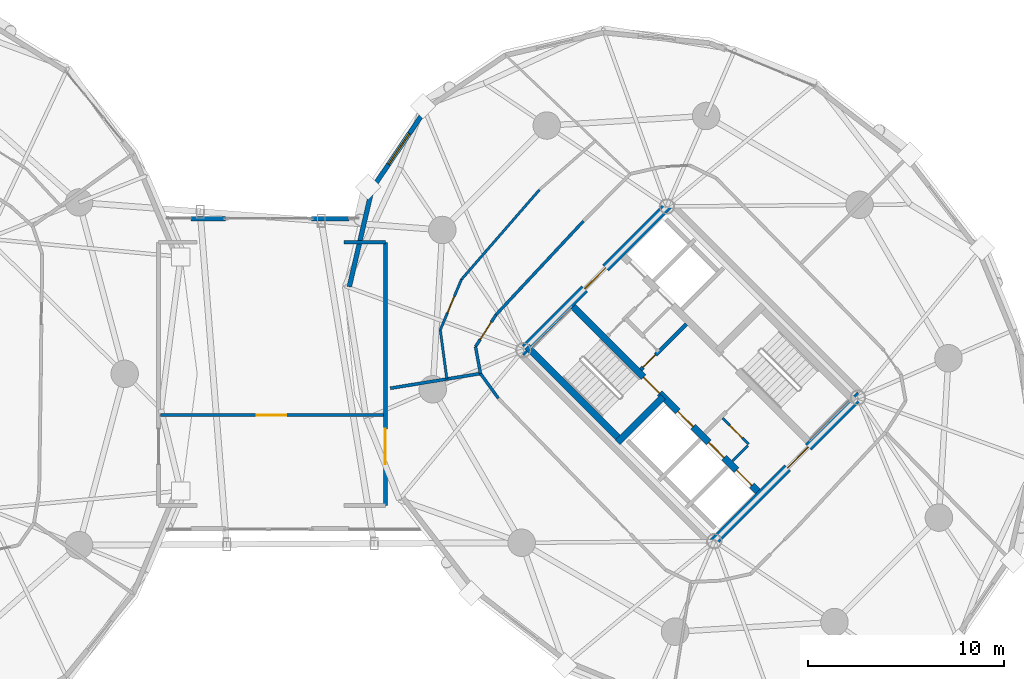
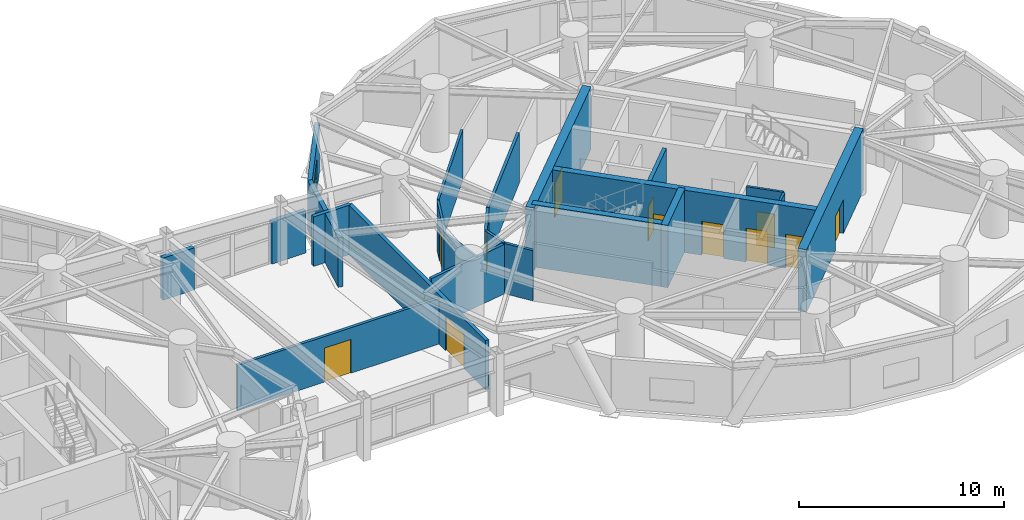
# One storey, part 16 of 20: 23 walls, 12 doors, 1 window, 13 openings.
"""IFC4 building model written with IfcOpenShell, lengths in metres."""

from ifc_helpers import new_model, si_unit, direction, frame, frame_2d, origin, place, context, subcontext, project, spatial, rectangle, extrude, source, transform, mapped, material, layer, layer_set, type_object, element, fill, save


model = new_model("IFC4")

# Units and contexts
model_context = context("Model", 3, precision=1e-05, world=origin(), true_north=direction((0.0, 1.0)))
body_context = subcontext(model_context, "Body", "Model", "MODEL_VIEW")
ifc_project = project(units=[si_unit("LENGTHUNIT", "METRE"), si_unit("AREAUNIT", "SQUARE_METRE"), si_unit("VOLUMEUNIT", "CUBIC_METRE"), si_unit("PLANEANGLEUNIT", "RADIAN"), si_unit("MASSUNIT", "GRAM", prefix="KILO")], contexts=[model_context])

# Site, building, storey
site_placement = place(None, origin())
site = spatial("IfcSite", under=ifc_project, at=site_placement, CompositionType="ELEMENT")
building_placement = place(site_placement, origin())
building = spatial("IfcBuilding", under=site, at=building_placement, Name="Cununo Teusaquillo Station Towers", CompositionType="ELEMENT")
storey_placement = place(building_placement, frame((0.0, 0.0, 129.159912109375)))
storey = spatial("IfcBuildingStorey", under=building, at=storey_placement, Name="L41", CompositionType="ELEMENT", Elevation=129.159912109375)

# Wall, openings, doors
ifc_material_1 = material(Name="Concrete C50/60", Category="concrete")
ifc_layer_1 = layer(ifc_material_1, 0.35009765625)
ifc_layer_set_1 = layer_set([ifc_layer_1], Name="Concrete C50/60")
wall_type_1 = type_object("IfcWallType", Name="WL-CORE-350", PredefinedType="SHEAR", material=ifc_layer_set_1)
wall_1_placement = place(storey_placement, frame((61.077880859375, 18.355224609375, 0.0), z_axis=(0.0, 0.0, 1.0), x_axis=(-0.707106781187, 0.707106781187, 0.0)))
wall_1 = element("IfcWall", 1, at=wall_1_placement, inside=storey, type_object=wall_type_1, Name="L41 Tower B Core Shear Wall IW", PredefinedType="SHEAR", context=body_context, shape_type="SweptSolid", body=[
    extrude(rectangle(XDim=13.75, YDim=0.35009765625, at=frame_2d((6.875, 0.0))), origin(), (0.0, 0.0, 1.0), 3.719970703125),
])
shared_shape_1 = source(origin(), body_context, "Body", "SweptSolid", [
    extrude(rectangle(XDim=1.10009765625, YDim=2.014892578125, at=frame_2d((0.550048828125, 1.00732421875))), frame((0.0, 0.18505859375, 0.0), z_axis=(0.0, -1.0, 0.0), x_axis=(1.0, 0.0, 0.0)), (0.0, 0.0, 1.0), 0.3701171875),
])
opening_1_placement = place(wall_1_placement, frame((4.875, 0.0, 0.0)))
opening_1 = element("IfcOpeningElement", 2, at=opening_1_placement, cuts=wall_1, Name="Opening LD-01", PredefinedType="OPENING", context=body_context, shape_type="MappedRepresentation", body=[
    mapped(shared_shape_1, transform((0.0, 0.0, 0.0), x_axis=(1.0, 0.0, 0.0), y_axis=(0.0, 1.0, 0.0), z_axis=(0.0, 0.0, 1.0), scale=1.0)),
])
opening_2_placement = place(wall_1_placement, frame((0.64990234375, 0.0, 0.0)))
opening_2 = element("IfcOpeningElement", 3, at=opening_2_placement, cuts=wall_1, Name="Opening LD-01", PredefinedType="OPENING", context=body_context, shape_type="MappedRepresentation", body=[
    mapped(shared_shape_1, transform((0.0, 0.0, 0.0), x_axis=(1.0, 0.0, 0.0), y_axis=(0.0, 1.0, 0.0), z_axis=(0.0, 0.0, 1.0), scale=1.0)),
])
opening_3_placement = place(wall_1_placement, frame((2.64990234375, 0.0, 0.0)))
opening_3 = element("IfcOpeningElement", 4, at=opening_3_placement, cuts=wall_1, Name="Opening LD-01", PredefinedType="OPENING", context=body_context, shape_type="MappedRepresentation", body=[
    mapped(shared_shape_1, transform((0.0, 0.0, 0.0), x_axis=(1.0, 0.0, 0.0), y_axis=(0.0, 1.0, 0.0), z_axis=(0.0, 0.0, 1.0), scale=1.0)),
])
shared_shape_2 = source(origin(), body_context, "Body", "SweptSolid", [
    extrude(rectangle(XDim=1.14990234375, YDim=2.02001953125, at=frame_2d((0.574951171875, 1.010009765625))), frame((0.0, 0.18505859375, 0.0), z_axis=(0.0, -1.0, 0.0), x_axis=(1.0, 0.0, 0.0)), (0.0, 0.0, 1.0), 0.3701171875),
])
opening_4_placement = place(wall_1_placement, frame((7.294921875, 0.0, 0.0)))
opening_4 = element("IfcOpeningElement", 5, at=opening_4_placement, cuts=wall_1, Name="Opening D-ST1", PredefinedType="OPENING", context=body_context, shape_type="MappedRepresentation", body=[
    mapped(shared_shape_2, transform((0.0, 0.0, 0.0), x_axis=(1.0, 0.0, 0.0), y_axis=(0.0, 1.0, 0.0), z_axis=(0.0, 0.0, 1.0), scale=1.0)),
])
ifc_material_2 = material(Name="Galvanised fire-rated hollow steel door assembly", Category="steel")
door_type_1 = type_object("IfcDoorType", Name="DR-LIFT-1100", OperationType="SLIDING_TO_LEFT", PredefinedType="DOOR", material=ifc_material_2)
shared_shape_3 = source(origin(), body_context, "Body", "SweptSolid", [
    extrude(rectangle(XDim=1.10009765625, YDim=2.014892578125, at=frame_2d((0.550048828125, 1.00732421875))), frame((0.0, 0.02490234375, 0.0), z_axis=(0.0, -1.0, 0.0), x_axis=(1.0, 0.0, 0.0)), (0.0, 0.0, 1.0), 0.050048828125),
])
door_1_placement = place(opening_1_placement, origin())
door_1 = element("IfcDoor", 6, at=door_1_placement, inside=storey, type_object=door_type_1, Name="L41 Lift FL-T2 Sliding Landing Door", OperationType="SLIDING_TO_LEFT", OverallHeight=2.014892578125, OverallWidth=1.10009765625, PredefinedType="DOOR", context=body_context, shape_type="MappedRepresentation", body=[
    mapped(shared_shape_3, transform((0.0, 0.0, 0.0), x_axis=(1.0, 0.0, 0.0), y_axis=(0.0, 1.0, 0.0), z_axis=(0.0, 0.0, 1.0), scale=1.0)),
])
fill(opening_1, door_1)
door_2_placement = place(opening_2_placement, origin())
door_2 = element("IfcDoor", 7, at=door_2_placement, inside=storey, type_object=door_type_1, Name="L41 Lift PL-T2-H1 Sliding Landing Door", OperationType="SLIDING_TO_LEFT", OverallHeight=2.014892578125, OverallWidth=1.10009765625, PredefinedType="DOOR", context=body_context, shape_type="MappedRepresentation", body=[
    mapped(shared_shape_3, transform((0.0, 0.0, 0.0), x_axis=(1.0, 0.0, 0.0), y_axis=(0.0, 1.0, 0.0), z_axis=(0.0, 0.0, 1.0), scale=1.0)),
])
fill(opening_2, door_2)
door_3_placement = place(opening_3_placement, origin())
door_3 = element("IfcDoor", 8, at=door_3_placement, inside=storey, type_object=door_type_1, Name="L41 Lift PL-T2-H2 Sliding Landing Door", OperationType="SLIDING_TO_RIGHT", OverallHeight=2.014892578125, OverallWidth=1.10009765625, PredefinedType="DOOR", context=body_context, shape_type="MappedRepresentation", body=[
    mapped(shared_shape_3, transform((0.0, 0.0, 0.0), x_axis=(1.0, 0.0, 0.0), y_axis=(0.0, 1.0, 0.0), z_axis=(0.0, 0.0, 1.0), scale=1.0)),
])
fill(opening_3, door_3)
ifc_material_3 = material(Name="Galvanised fire-rated hollow steel door assembly", Category="steel")
door_type_2 = type_object("IfcDoorType", Name="DR-STAIR-1150", OperationType="NOTDEFINED", PredefinedType="DOOR", material=ifc_material_3)
shared_shape_4 = source(origin(), body_context, "Body", "SweptSolid", [
    extrude(rectangle(XDim=1.14990234375, YDim=2.02001953125, at=frame_2d((0.574951171875, 1.010009765625))), frame((0.0, 0.02490234375, 0.0), z_axis=(0.0, -1.0, 0.0), x_axis=(1.0, 0.0, 0.0)), (0.0, 0.0, 1.0), 0.050048828125),
])
door_4_placement = place(opening_4_placement, origin())
door_4 = element("IfcDoor", 9, at=door_4_placement, inside=storey, type_object=door_type_2, Name="L41 Tower B Exit Stair 1 Fire Door", OperationType="SINGLE_SWING_LEFT", OverallHeight=2.02001953125, OverallWidth=1.14990234375, PredefinedType="DOOR", context=body_context, shape_type="MappedRepresentation", body=[
    mapped(shared_shape_4, transform((0.0, 0.0, 0.0), x_axis=(1.0, 0.0, 0.0), y_axis=(0.0, 1.0, 0.0), z_axis=(0.0, 0.0, 1.0), scale=1.0)),
])
fill(opening_4, door_4)

# Walls
wall_2_placement = place(storey_placement, frame((53.922119140625, 21.14111328125, 0.0), z_axis=(0.0, 0.0, 1.0), x_axis=(-0.707088616009, 0.707124945897, 0.0)))
element("IfcWall", 10, at=wall_2_placement, inside=storey, type_object=wall_type_1, Name="L41 Tower B Core Shear Wall ST1W", PredefinedType="SHEAR", context=body_context, shape_type="SweptSolid", body=[
    extrude(rectangle(XDim=6.72021484375, YDim=0.35009765625, at=frame_2d((3.360107421875, 0.0))), origin(), (0.0, 0.0, 1.0), 3.719970703125),
])
wall_3_placement = place(storey_placement, frame((53.7841796875, 21.00341796875, 0.0), z_axis=(0.0, 0.0, 1.0), x_axis=(0.707106781187, 0.707106781187, 0.0)))
element("IfcWall", 11, at=wall_3_placement, inside=storey, type_object=wall_type_1, Name="L41 Tower B Core Shear Wall ST1S", PredefinedType="SHEAR", context=body_context, shape_type="SweptSolid", body=[
    extrude(rectangle(XDim=3.284912109375, YDim=0.35009765625, at=frame_2d((1.642578125, 0.0))), origin(), (0.0, 0.0, 1.0), 3.719970703125),
])

# Wall, opening, door
ifc_material_4 = material(Name="Concrete C60/75", Category="concrete")
ifc_layer_2 = layer(ifc_material_4, 0.449951171875)
ifc_layer_set_2 = layer_set([ifc_layer_2], Name="Concrete C60/75")
wall_type_2 = type_object("IfcWallType", Name="WL-CORE-450", PredefinedType="SHEAR", material=ifc_layer_set_2)
wall_4_placement = place(storey_placement, frame((58.578369140625, 15.855712890625, 0.0), z_axis=(0.0, 0.0, 1.0), x_axis=(0.707106781187, 0.707106781187, 0.0)))
wall_4 = element("IfcWall", 12, at=wall_4_placement, inside=storey, type_object=wall_type_2, Name="L41 Tower B Core Shear Wall S", PredefinedType="SHEAR", context=body_context, shape_type="SweptSolid", body=[
    extrude(rectangle(XDim=10.69970703125, YDim=0.449951171875, at=frame_2d((5.349853515625, 0.0))), origin(), (0.0, 0.0, 1.0), 3.719970703125),
])
shared_shape_5 = source(origin(), body_context, "Body", "SweptSolid", [
    extrude(rectangle(XDim=1.5, YDim=2.02001953125, at=frame_2d((0.75, 1.010009765625))), frame((0.0, 0.23486328125, 0.0), z_axis=(0.0, -1.0, 0.0), x_axis=(1.0, 0.0, 0.0)), (0.0, 0.0, 1.0), 0.469970703125),
])
opening_5_placement = place(wall_4_placement, frame((5.449951171875, 0.0, 0.0)))
opening_5 = element("IfcOpeningElement", 13, at=opening_5_placement, cuts=wall_4, Name="Opening D-LB1", PredefinedType="OPENING", context=body_context, shape_type="MappedRepresentation", body=[
    mapped(shared_shape_5, transform((0.0, 0.0, 0.0), x_axis=(1.0, 0.0, 0.0), y_axis=(0.0, 1.0, 0.0), z_axis=(0.0, 0.0, 1.0), scale=1.0)),
])
ifc_material_5 = material(Name="Galvanised fire-rated hollow steel door assembly", Category="steel")
door_type_3 = type_object("IfcDoorType", Name="DR-LOBBY-1500", OperationType="DOUBLE_DOOR_SINGLE_SWING", PredefinedType="DOOR", material=ifc_material_5)
shared_shape_6 = source(origin(), body_context, "Body", "SweptSolid", [
    extrude(rectangle(XDim=1.5, YDim=2.02001953125, at=frame_2d((0.75, 1.010009765625))), frame((0.0, 0.02490234375, 0.0), z_axis=(0.0, -1.0, 0.0), x_axis=(1.0, 0.0, 0.0)), (0.0, 0.0, 1.0), 0.050048828125),
])
door_5_placement = place(opening_5_placement, origin())
door_5 = element("IfcDoor", 14, at=door_5_placement, inside=storey, type_object=door_type_3, Name="L41 Tower B South Core Lift Lobby Door", OperationType="DOUBLE_DOOR_SINGLE_SWING", OverallHeight=2.02001953125, OverallWidth=1.5, PredefinedType="DOOR", context=body_context, shape_type="MappedRepresentation", body=[
    mapped(shared_shape_6, transform((0.0, 0.0, 0.0), x_axis=(1.0, 0.0, 0.0), y_axis=(0.0, 1.0, 0.0), z_axis=(0.0, 0.0, 1.0), scale=1.0)),
])
fill(opening_5, door_5)

wall_5_placement = place(storey_placement, frame((48.855712890625, 25.578369140625, 0.0), z_axis=(0.0, 0.0, 1.0), x_axis=(0.707106781187, 0.707106781187, 0.0)))
wall_5 = element("IfcWall", 15, at=wall_5_placement, inside=storey, type_object=wall_type_2, Name="L41 Tower B Core Shear Wall N", PredefinedType="SHEAR", context=body_context, shape_type="SweptSolid", body=[
    extrude(rectangle(XDim=10.69970703125, YDim=0.449951171875, at=frame_2d((5.349853515625, 0.0))), origin(), (0.0, 0.0, 1.0), 3.719970703125),
])
opening_6_placement = place(wall_5_placement, frame((4.60009765625, 0.0, 0.0)))
opening_6 = element("IfcOpeningElement", 16, at=opening_6_placement, cuts=wall_5, Name="Opening D-LB1", PredefinedType="OPENING", context=body_context, shape_type="MappedRepresentation", body=[
    mapped(shared_shape_5, transform((0.0, 0.0, 0.0), x_axis=(1.0, 0.0, 0.0), y_axis=(0.0, 1.0, 0.0), z_axis=(0.0, 0.0, 1.0), scale=1.0)),
])
door_6_placement = place(opening_6_placement, origin())
door_6 = element("IfcDoor", 17, at=door_6_placement, inside=storey, type_object=door_type_3, Name="L41 Tower B North Core Lift Lobby Door", OperationType="DOUBLE_DOOR_SINGLE_SWING", OverallHeight=2.02001953125, OverallWidth=1.5, PredefinedType="DOOR", context=body_context, shape_type="MappedRepresentation", body=[
    mapped(shared_shape_6, transform((0.0, 0.0, 0.0), x_axis=(1.0, 0.0, 0.0), y_axis=(0.0, 1.0, 0.0), z_axis=(0.0, 0.0, 1.0), scale=1.0)),
])
fill(opening_6, door_6)

# Wall, opening, window
ifc_material_6 = material(Name="Precast concrete C40/50", Category="concrete")
ifc_layer_3 = layer(ifc_material_6, 0.239990234375)
ifc_layer_set_3 = layer_set([ifc_layer_3], Name="Precast concrete C40/50")
wall_type_3 = type_object("IfcWallType", Name="WL-EXT-240", PredefinedType="SOLIDWALL", material=ifc_layer_set_3)
wall_6_placement = place(storey_placement, frame((41.27099609375, 33.919921875, 0.0), z_axis=(0.0, 0.0, 1.0), x_axis=(0.559572880421, 0.828781148131, 0.0)))
wall_6 = element("IfcWall", 18, at=wall_6_placement, inside=storey, type_object=wall_type_3, Name="L41 Tower B Exterior Facade Wall C05", PredefinedType="SOLIDWALL", context=body_context, shape_type="SweptSolid", body=[
    extrude(rectangle(XDim=4.904541015625, YDim=0.239990234375, at=frame_2d((2.4521484375, 0.0))), origin(), (0.0, 0.0, 1.0), 2.948974609375),
])
shared_shape_7 = source(origin(), body_context, "Body", "SweptSolid", [
    extrude(rectangle(XDim=1.89990234375, YDim=1.35009765625, at=frame_2d((0.949951171875, 0.675048828125))), frame((0.0, 0.1298828125, 0.0), z_axis=(0.0, -1.0, 0.0), x_axis=(1.0, 0.0, 0.0)), (0.0, 0.0, 1.0), 0.260009765625),
])
opening_7_placement = place(wall_6_placement, frame((1.501953125, 0.0, 0.64990234375)))
opening_7 = element("IfcOpeningElement", 19, at=opening_7_placement, cuts=wall_6, Name="Opening WN-02", PredefinedType="OPENING", context=body_context, shape_type="MappedRepresentation", body=[
    mapped(shared_shape_7, transform((0.0, 0.0, 0.0), x_axis=(1.0, 0.0, 0.0), y_axis=(0.0, 1.0, 0.0), z_axis=(0.0, 0.0, 1.0), scale=1.0)),
])
ifc_material_7 = material(Name="Operable acoustic tinted low-E double glazing", Category="glass")
window_type = type_object("IfcWindowType", Name="WIN-OPER-1900", PartitioningType="DOUBLE_PANEL_VERTICAL", PredefinedType="WINDOW", material=ifc_material_7)
shared_shape_8 = source(origin(), body_context, "Body", "SweptSolid", [
    extrude(rectangle(XDim=1.89990234375, YDim=1.35009765625, at=frame_2d((0.949951171875, 0.675048828125))), frame((0.0, 0.030029296875, 0.0), z_axis=(0.0, -1.0, 0.0), x_axis=(1.0, 0.0, 0.0)), (0.0, 0.0, 1.0), 0.06005859375),
])
window_placement = place(opening_7_placement, origin())
window = element("IfcWindow", 20, at=window_placement, inside=storey, type_object=window_type, Name="L41 Tower B Facade Window C05", OverallHeight=1.35009765625, OverallWidth=1.89990234375, PartitioningType="DOUBLE_PANEL_VERTICAL", PredefinedType="WINDOW", context=body_context, shape_type="MappedRepresentation", body=[
    mapped(shared_shape_8, transform((0.0, 0.0, 0.0), x_axis=(1.0, 0.0, 0.0), y_axis=(0.0, 1.0, 0.0), z_axis=(0.0, 0.0, 1.0), scale=1.0)),
])
fill(opening_7, window)

# Walls
wall_7_placement = place(storey_placement, frame((40.114990234375, 28.933349609375, 0.0), z_axis=(0.0, 0.0, 1.0), x_axis=(0.225834725257, 0.974165631126, 0.0)))
element("IfcWall", 21, at=wall_7_placement, inside=storey, type_object=wall_type_3, Name="L41 Tower B Exterior Facade Wall C06", PredefinedType="SOLIDWALL", context=body_context, shape_type="SweptSolid", body=[
    extrude(rectangle(XDim=5.118896484375, YDim=0.239990234375, at=frame_2d((2.5595703125, 0.0))), origin(), (0.0, 0.0, 1.0), 2.948974609375),
])
wall_8_placement = place(storey_placement, frame((32.050048828125, 32.39990234375, 0.0), z_axis=(0.0, 0.0, 1.0), x_axis=(1.0, 0.0, 0.0)))
element("IfcWall", 22, at=wall_8_placement, inside=storey, type_object=wall_type_3, Name="L41 Mid-Bridge N End Spandrel A", PredefinedType="SOLIDWALL", context=body_context, shape_type="SweptSolid", body=[
    extrude(rectangle(XDim=1.77001953125, YDim=0.239990234375, at=frame_2d((0.885009765625, 0.0))), origin(), (0.0, 0.0, 1.0), 2.51220703125),
])
wall_9_placement = place(storey_placement, frame((38.179931640625, 32.39990234375, 0.0), z_axis=(0.0, 0.0, 1.0), x_axis=(1.0, 0.0, 0.0)))
element("IfcWall", 23, at=wall_9_placement, inside=storey, type_object=wall_type_3, Name="L41 Mid-Bridge N End Spandrel B", PredefinedType="SOLIDWALL", context=body_context, shape_type="SweptSolid", body=[
    extrude(rectangle(XDim=1.920166015625, YDim=0.239990234375, at=frame_2d((0.9599609375, 0.0))), origin(), (0.0, 0.0, 1.0), 2.51220703125),
])

# Wall, opening, door
ifc_material_8 = material(Name="Fire-rated gypsum plasterboard partition assembly", Category="gypsum")
ifc_layer_4 = layer(ifc_material_8, 0.125)
ifc_layer_set_4 = layer_set([ifc_layer_4], Name="Fire-rated gypsum plasterboard partition assembly")
wall_type_4 = type_object("IfcWallType", Name="WL-PART-125", PredefinedType="PARTITIONING", material=ifc_layer_set_4)
wall_10_placement = place(storey_placement, frame((60.448486328125, 20.9150390625, 0.0), z_axis=(0.0, 0.0, 1.0), x_axis=(-0.707106781187, 0.707106781187, 0.0)))
wall_10 = element("IfcWall", 24, at=wall_10_placement, inside=storey, type_object=wall_type_4, Name="L41 Tower B North-West Lobby Store East Wall", PredefinedType="PARTITIONING", context=body_context, shape_type="SweptSolid", body=[
    extrude(rectangle(XDim=1.869873046875, YDim=0.125, at=frame_2d((0.93505859375, 0.0))), origin(), (0.0, 0.0, 1.0), 3.425048828125),
])
shared_shape_9 = source(origin(), body_context, "Body", "SweptSolid", [
    extrude(rectangle(XDim=0.89990234375, YDim=2.0048828125, at=frame_2d((0.449951171875, 1.00244140625))), frame((0.0, 0.072509765625, 0.0), z_axis=(0.0, -1.0, 0.0), x_axis=(1.0, 0.0, 0.0)), (0.0, 0.0, 1.0), 0.14501953125),
])
opening_8_placement = place(wall_10_placement, frame((0.449951171875, 0.0, 0.0)))
opening_8 = element("IfcOpeningElement", 25, at=opening_8_placement, cuts=wall_10, Name="Opening D-SR1", PredefinedType="OPENING", context=body_context, shape_type="MappedRepresentation", body=[
    mapped(shared_shape_9, transform((0.0, 0.0, 0.0), x_axis=(1.0, 0.0, 0.0), y_axis=(0.0, 1.0, 0.0), z_axis=(0.0, 0.0, 1.0), scale=1.0)),
])
ifc_material_9 = material(Name="Galvanised fire-rated hollow steel door assembly", Category="steel")
door_type_4 = type_object("IfcDoorType", Name="DR-STORE-900", OperationType="NOTDEFINED", PredefinedType="DOOR", material=ifc_material_9)
shared_shape_10 = source(origin(), body_context, "Body", "SweptSolid", [
    extrude(rectangle(XDim=0.89990234375, YDim=2.0048828125, at=frame_2d((0.449951171875, 1.00244140625))), frame((0.0, 0.02490234375, 0.0), z_axis=(0.0, -1.0, 0.0), x_axis=(1.0, 0.0, 0.0)), (0.0, 0.0, 1.0), 0.050048828125),
])
door_7_placement = place(opening_8_placement, origin())
door_7 = element("IfcDoor", 26, at=door_7_placement, inside=storey, type_object=door_type_4, Name="L41 Tower B South Lobby Data Store Door", OperationType="SINGLE_SWING_LEFT", OverallHeight=2.0048828125, OverallWidth=0.89990234375, PredefinedType="DOOR", context=body_context, shape_type="MappedRepresentation", body=[
    mapped(shared_shape_10, transform((0.0, 0.0, 0.0), x_axis=(1.0, 0.0, 0.0), y_axis=(0.0, 1.0, 0.0), z_axis=(0.0, 0.0, 1.0), scale=1.0)),
])
fill(opening_8, door_7)

# Walls
wall_11_placement = place(storey_placement, frame((59.642578125, 20.06640625, 0.0), z_axis=(0.0, 0.0, 1.0), x_axis=(0.707106781187, 0.707106781187, 0.0)))
element("IfcWall", 27, at=wall_11_placement, inside=storey, type_object=wall_type_4, Name="L41 Tower B North-West Lobby Store South Wall", PredefinedType="PARTITIONING", context=body_context, shape_type="SweptSolid", body=[
    extrude(rectangle(XDim=1.10009765625, YDim=0.125, at=frame_2d((0.550048828125, 0.0))), origin(), (0.0, 0.0, 1.0), 3.425048828125),
])
wall_12_placement = place(storey_placement, frame((49.799560546875, 33.873291015625, 0.0), z_axis=(0.0, 0.0, 1.0), x_axis=(-0.656224613926, -0.754565607537, 0.0)))
element("IfcWall", 28, at=wall_12_placement, inside=storey, type_object=wall_type_4, Name="L41 Tower B Sky-Concourse Exhibition Salon Concentric Partition Wall C05", PredefinedType="PARTITIONING", context=body_context, shape_type="SweptSolid", body=[
    extrude(rectangle(XDim=6.0576171875, YDim=0.125, at=frame_2d((3.02880859375, 0.0))), origin(), (0.0, 0.0, 1.0), 2.9951171875),
])

# Wall, opening, door
wall_13_placement = place(storey_placement, frame((45.824462890625, 29.302490234375, 0.0), z_axis=(0.0, 0.0, 1.0), x_axis=(-0.38649564145, -0.922291233364, 0.0)))
wall_13 = element("IfcWall", 29, at=wall_13_placement, inside=storey, type_object=wall_type_4, Name="L41 Tower B Sky-Concourse Exhibition Salon Concentric Partition Wall C06", PredefinedType="PARTITIONING", context=body_context, shape_type="SweptSolid", body=[
    extrude(rectangle(XDim=2.783203125, YDim=0.125, at=frame_2d((1.3916015625, 0.0))), origin(), (0.0, 0.0, 1.0), 2.948974609375),
])
opening_9_placement = place(wall_13_placement, frame((0.941650390625, 0.0, 0.0)))
opening_9 = element("IfcOpeningElement", 30, at=opening_9_placement, cuts=wall_13, Name="Opening D-IN1", PredefinedType="OPENING", context=body_context, shape_type="MappedRepresentation", body=[
    mapped(shared_shape_9, transform((0.0, 0.0, 0.0), x_axis=(1.0, 0.0, 0.0), y_axis=(0.0, 1.0, 0.0), z_axis=(0.0, 0.0, 1.0), scale=1.0)),
])
ifc_material_10 = material(Name="Acoustic solid-core hardwood leaf assembly", Category="wood")
door_type_5 = type_object("IfcDoorType", Name="DR-INT-900", OperationType="NOTDEFINED", PredefinedType="DOOR", material=ifc_material_10)
door_8_placement = place(opening_9_placement, origin())
door_8 = element("IfcDoor", 31, at=door_8_placement, inside=storey, type_object=door_type_5, Name="L41 Tower B Sky-Concourse Exhibition Salon Connecting Door", OperationType="SINGLE_SWING_LEFT", OverallHeight=2.0048828125, OverallWidth=0.89990234375, PredefinedType="DOOR", context=body_context, shape_type="MappedRepresentation", body=[
    mapped(shared_shape_10, transform((0.0, 0.0, 0.0), x_axis=(1.0, 0.0, 0.0), y_axis=(0.0, 1.0, 0.0), z_axis=(0.0, 0.0, 1.0), scale=1.0)),
])
fill(opening_9, door_8)

# Walls
wall_14_placement = place(storey_placement, frame((44.748779296875, 26.735595703125, 0.0), z_axis=(0.0, 0.0, 1.0), x_axis=(0.132518524874, -0.991180528746, 0.0)))
element("IfcWall", 32, at=wall_14_placement, inside=storey, type_object=wall_type_4, Name="L41 Tower B Sky-Concourse Exhibition Salon Concentric Partition Wall C07", PredefinedType="PARTITIONING", context=body_context, shape_type="SweptSolid", body=[
    extrude(rectangle(XDim=2.52392578125, YDim=0.125, at=frame_2d((1.261962890625, 0.0))), origin(), (0.0, 0.0, 1.0), 2.948974609375),
])
ifc_material_11 = material(Name="Fire-rated gypsum plasterboard partition assembly", Category="gypsum")
ifc_layer_5 = layer(ifc_material_11, 0.14990234375)
ifc_layer_set_5 = layer_set([ifc_layer_5], Name="Fire-rated gypsum plasterboard partition assembly")
wall_type_5 = type_object("IfcWallType", Name="WL-PART-150", PredefinedType="PARTITIONING", material=ifc_layer_set_5)
wall_15_placement = place(storey_placement, frame((52.04345703125, 32.27978515625, 0.0), z_axis=(0.0, 0.0, 1.0), x_axis=(-0.682606081633, -0.730786519661, 0.0)))
element("IfcWall", 33, at=wall_15_placement, inside=storey, type_object=wall_type_5, Name="L41 Tower B Corridor Ring Wall C05", PredefinedType="PARTITIONING", context=body_context, shape_type="SweptSolid", body=[
    extrude(rectangle(XDim=6.526611328125, YDim=0.14990234375, at=frame_2d((3.26318359375, 0.0))), origin(), (0.0, 0.0, 1.0), 2.9951171875),
])

# Wall, opening, door
wall_16_placement = place(storey_placement, frame((47.58837890625, 27.51025390625, 0.0), z_axis=(0.0, 0.0, 1.0), x_axis=(-0.540202619347, -0.841534984449, 0.0)))
wall_16 = element("IfcWall", 34, at=wall_16_placement, inside=storey, type_object=wall_type_5, Name="L41 Tower B Corridor Ring Wall C06", PredefinedType="PARTITIONING", context=body_context, shape_type="SweptSolid", body=[
    extrude(rectangle(XDim=1.934814453125, YDim=0.14990234375, at=frame_2d((0.96728515625, 0.0))), origin(), (0.0, 0.0, 1.0), 2.9951171875),
])
shared_shape_11 = source(origin(), body_context, "Body", "SweptSolid", [
    extrude(rectangle(XDim=1.050048828125, YDim=2.014892578125, at=frame_2d((0.52490234375, 1.00732421875))), frame((0.0, 0.0849609375, 0.0), z_axis=(0.0, -1.0, 0.0), x_axis=(1.0, 0.0, 0.0)), (0.0, 0.0, 1.0), 0.169921875),
])
opening_10_placement = place(wall_16_placement, frame((0.4423828125, 0.0, 0.0)))
opening_10 = element("IfcOpeningElement", 35, at=opening_10_placement, cuts=wall_16, Name="Opening D-SU1", PredefinedType="OPENING", context=body_context, shape_type="MappedRepresentation", body=[
    mapped(shared_shape_11, transform((0.0, 0.0, 0.0), x_axis=(1.0, 0.0, 0.0), y_axis=(0.0, 1.0, 0.0), z_axis=(0.0, 0.0, 1.0), scale=1.0)),
])
ifc_material_12 = material(Name="Acoustic solid-core hardwood leaf assembly", Category="wood")
door_type_6 = type_object("IfcDoorType", Name="DR-SUITE-1050", OperationType="NOTDEFINED", PredefinedType="DOOR", material=ifc_material_12)
shared_shape_12 = source(origin(), body_context, "Body", "SweptSolid", [
    extrude(rectangle(XDim=1.050048828125, YDim=2.014892578125, at=frame_2d((0.52490234375, 1.00732421875))), frame((0.0, 0.02490234375, 0.0), z_axis=(0.0, -1.0, 0.0), x_axis=(1.0, 0.0, 0.0)), (0.0, 0.0, 1.0), 0.050048828125),
])
door_9_placement = place(opening_10_placement, origin())
door_9 = element("IfcDoor", 36, at=door_9_placement, inside=storey, type_object=door_type_6, Name="L41 Tower B Sky-Concourse Exhibition Salon Entrance Door", OperationType="SINGLE_SWING_RIGHT", OverallHeight=2.014892578125, OverallWidth=1.050048828125, PredefinedType="DOOR", context=body_context, shape_type="MappedRepresentation", body=[
    mapped(shared_shape_12, transform((0.0, 0.0, 0.0), x_axis=(1.0, 0.0, 0.0), y_axis=(0.0, 1.0, 0.0), z_axis=(0.0, 0.0, 1.0), scale=1.0)),
])
fill(opening_10, door_9)

# Walls
wall_17_placement = place(storey_placement, frame((46.543212890625, 25.882080078125, 0.0), z_axis=(0.0, 0.0, 1.0), x_axis=(0.181153502579, -0.983454832976, 0.0)))
element("IfcWall", 37, at=wall_17_placement, inside=storey, type_object=wall_type_5, Name="L41 Tower B Corridor Ring Wall C07", PredefinedType="PARTITIONING", context=body_context, shape_type="SweptSolid", body=[
    extrude(rectangle(XDim=1.39208984375, YDim=0.14990234375, at=frame_2d((0.696044921875, 0.0))), origin(), (0.0, 0.0, 1.0), 2.9951171875),
])
wall_18_placement = place(storey_placement, frame((46.79541015625, 24.512939453125, 0.0), z_axis=(0.0, 0.0, 1.0), x_axis=(0.585628197524, -0.810579801294, 0.0)))
element("IfcWall", 38, at=wall_18_placement, inside=storey, type_object=wall_type_5, Name="L41 Tower B Corridor Ring Wall C08", PredefinedType="PARTITIONING", context=body_context, shape_type="SweptSolid", body=[
    extrude(rectangle(XDim=1.55419921875, YDim=0.14990234375, at=frame_2d((0.777099609375, 0.0))), origin(), (0.0, 0.0, 1.0), 2.9951171875),
])

# Wall, opening, door
ifc_material_13 = material(Name="Fire-rated gypsum plasterboard partition assembly", Category="gypsum")
ifc_layer_6 = layer(ifc_material_13, 0.159912109375)
ifc_layer_set_6 = layer_set([ifc_layer_6], Name="Fire-rated gypsum plasterboard partition assembly")
wall_type_6 = type_object("IfcWallType", Name="WL-PART-160", PredefinedType="PARTITIONING", material=ifc_layer_set_6)
wall_19_placement = place(storey_placement, frame((30.5, 22.39990234375, 0.0), z_axis=(0.0, 0.0, 1.0), x_axis=(1.0, 0.0, 0.0)))
wall_19 = element("IfcWall", 39, at=wall_19_placement, inside=storey, type_object=wall_type_6, Name="L41 Mid-Bridge Gallery Lounge Partition", PredefinedType="PARTITIONING", context=body_context, shape_type="SweptSolid", body=[
    extrude(rectangle(XDim=11.35009765625, YDim=0.159912109375, at=frame_2d((5.675048828125, 0.0))), origin(), (0.0, 0.0, 1.0), 2.712158203125),
])
shared_shape_13 = source(origin(), body_context, "Body", "SweptSolid", [
    extrude(rectangle(XDim=1.5, YDim=2.02001953125, at=frame_2d((0.75, 1.010009765625))), frame((0.0, 0.08984375, 0.0), z_axis=(0.0, -1.0, 0.0), x_axis=(1.0, 0.0, 0.0)), (0.0, 0.0, 1.0), 0.179931640625),
])
opening_11_placement = place(wall_19_placement, frame((4.89990234375, 0.0, 0.0)))
opening_11 = element("IfcOpeningElement", 40, at=opening_11_placement, cuts=wall_19, Name="Opening D-LB1", PredefinedType="OPENING", context=body_context, shape_type="MappedRepresentation", body=[
    mapped(shared_shape_13, transform((0.0, 0.0, 0.0), x_axis=(1.0, 0.0, 0.0), y_axis=(0.0, 1.0, 0.0), z_axis=(0.0, 0.0, 1.0), scale=1.0)),
])
door_10_placement = place(opening_11_placement, origin())
door_10 = element("IfcDoor", 41, at=door_10_placement, inside=storey, type_object=door_type_3, Name="L41 Mid-Bridge Salon Door", OperationType="DOUBLE_DOOR_SINGLE_SWING", OverallHeight=2.02001953125, OverallWidth=1.5, PredefinedType="DOOR", context=body_context, shape_type="MappedRepresentation", body=[
    mapped(shared_shape_6, transform((0.0, 0.0, 0.0), x_axis=(1.0, 0.0, 0.0), y_axis=(0.0, 1.0, 0.0), z_axis=(0.0, 0.0, 1.0), scale=1.0)),
])
fill(opening_11, door_10)

# Wall
wall_20_placement = place(storey_placement, frame((46.79541015625, 24.512939453125, 0.0), z_axis=(0.0, 0.0, 1.0), x_axis=(-0.986967402925, -0.160920308111, 0.0)))
element("IfcWall", 42, at=wall_20_placement, inside=storey, type_object=wall_type_6, Name="L41 Tower B Radial Suite Partition R03", PredefinedType="PARTITIONING", context=body_context, shape_type="SweptSolid", body=[
    extrude(rectangle(XDim=4.65625, YDim=0.159912109375, at=frame_2d((2.328125, 0.0))), origin(), (0.0, 0.0, 1.0), 2.948974609375),
])

# Wall, opening, door
ifc_material_14 = material(Name="Fire-rated gypsum plasterboard partition assembly", Category="gypsum")
ifc_layer_7 = layer(ifc_material_14, 0.199951171875)
ifc_layer_set_7 = layer_set([ifc_layer_7], Name="Fire-rated gypsum plasterboard partition assembly")
wall_type_7 = type_object("IfcWallType", Name="WL-PART-200", PredefinedType="PARTITIONING", material=ifc_layer_set_7)
wall_21_placement = place(storey_placement, frame((41.949951171875, 17.800048828125, 0.0), z_axis=(0.0, 0.0, 1.0), x_axis=(0.0, 1.0, 0.0)))
wall_21 = element("IfcWall", 43, at=wall_21_placement, inside=storey, type_object=wall_type_7, Name="L41 Mid-Bridge T2 Fire Portal Wall", PredefinedType="PARTITIONING", context=body_context, shape_type="SweptSolid", body=[
    extrude(rectangle(XDim=13.39990234375, YDim=0.199951171875, at=frame_2d((6.699951171875, 0.0))), origin(), (0.0, 0.0, 1.0), 2.948974609375),
])
shared_shape_14 = source(origin(), body_context, "Body", "SweptSolid", [
    extrude(rectangle(XDim=1.800048828125, YDim=2.050048828125, at=frame_2d((0.89990234375, 1.02490234375))), frame((0.0, 0.10986328125, 0.0), z_axis=(0.0, -1.0, 0.0), x_axis=(1.0, 0.0, 0.0)), (0.0, 0.0, 1.0), 0.219970703125),
])
opening_12_placement = place(wall_21_placement, frame((2.10009765625, 0.0, 0.0)))
opening_12 = element("IfcOpeningElement", 44, at=opening_12_placement, cuts=wall_21, Name="Opening D-BG1", PredefinedType="OPENING", context=body_context, shape_type="MappedRepresentation", body=[
    mapped(shared_shape_14, transform((0.0, 0.0, 0.0), x_axis=(1.0, 0.0, 0.0), y_axis=(0.0, 1.0, 0.0), z_axis=(0.0, 0.0, 1.0), scale=1.0)),
])
ifc_material_15 = material(Name="Galvanised fire-rated hollow steel door assembly", Category="steel")
door_type_7 = type_object("IfcDoorType", Name="DR-BRIDGE-1800", OperationType="DOUBLE_DOOR_SINGLE_SWING", PredefinedType="DOOR", material=ifc_material_15)
shared_shape_15 = source(origin(), body_context, "Body", "SweptSolid", [
    extrude(rectangle(XDim=1.800048828125, YDim=2.050048828125, at=frame_2d((0.89990234375, 1.02490234375))), frame((0.0, 0.02490234375, 0.0), z_axis=(0.0, -1.0, 0.0), x_axis=(1.0, 0.0, 0.0)), (0.0, 0.0, 1.0), 0.050048828125),
])
door_11_placement = place(opening_12_placement, origin())
door_11 = element("IfcDoor", 45, at=door_11_placement, inside=storey, type_object=door_type_7, Name="L41 Mid-Bridge T2 Portal Fire Door", OperationType="DOUBLE_DOOR_SINGLE_SWING", OverallHeight=2.050048828125, OverallWidth=1.800048828125, PredefinedType="DOOR", context=body_context, shape_type="MappedRepresentation", body=[
    mapped(shared_shape_15, transform((0.0, 0.0, 0.0), x_axis=(1.0, 0.0, 0.0), y_axis=(0.0, 1.0, 0.0), z_axis=(0.0, 0.0, 1.0), scale=1.0)),
])
fill(opening_12, door_11)

# Wall
wall_22_placement = place(storey_placement, frame((39.85009765625, 31.199951171875, 0.0), z_axis=(0.0, 0.0, 1.0), x_axis=(1.0, 0.0, 0.0)))
element("IfcWall", 46, at=wall_22_placement, inside=storey, type_object=wall_type_7, Name="L41 Mid-Bridge Portal Return Wall EN", PredefinedType="PARTITIONING", context=body_context, shape_type="SweptSolid", body=[
    extrude(rectangle(XDim=2.099853515625, YDim=0.199951171875, at=frame_2d((1.0498046875, 0.0))), origin(), (0.0, 0.0, 1.0), 2.948974609375),
])

# Wall, opening, door
wall_23_placement = place(storey_placement, frame((54.96142578125, 24.71923828125, 0.0), z_axis=(0.0, 0.0, 1.0), x_axis=(0.707106781187, 0.707106781187, 0.0)))
wall_23 = element("IfcWall", 47, at=wall_23_placement, inside=storey, type_object=wall_type_7, Name="L41 Tower B Firefighting Lift Lobby North Fire Wall", PredefinedType="PARTITIONING", context=body_context, shape_type="SweptSolid", body=[
    extrude(rectangle(XDim=3.280029296875, YDim=0.199951171875, at=frame_2d((1.64013671875, 0.0))), origin(), (0.0, 0.0, 1.0), 3.425048828125),
])
shared_shape_16 = source(origin(), body_context, "Body", "SweptSolid", [
    extrude(rectangle(XDim=0.89990234375, YDim=2.0048828125, at=frame_2d((0.449951171875, 1.00244140625))), frame((0.0, 0.10986328125, 0.0), z_axis=(0.0, -1.0, 0.0), x_axis=(1.0, 0.0, 0.0)), (0.0, 0.0, 1.0), 0.219970703125),
])
opening_13_placement = place(wall_23_placement, frame((0.159912109375, 0.0, 0.0)))
opening_13 = element("IfcOpeningElement", 48, at=opening_13_placement, cuts=wall_23, Name="Opening D-SR1", PredefinedType="OPENING", context=body_context, shape_type="MappedRepresentation", body=[
    mapped(shared_shape_16, transform((0.0, 0.0, 0.0), x_axis=(1.0, 0.0, 0.0), y_axis=(0.0, 1.0, 0.0), z_axis=(0.0, 0.0, 1.0), scale=1.0)),
])
door_12_placement = place(opening_13_placement, origin())
door_12 = element("IfcDoor", 49, at=door_12_placement, inside=storey, type_object=door_type_4, Name="L41 Tower B Stair 1 Protected Vestibule South Door", OperationType="SINGLE_SWING_LEFT", OverallHeight=2.0048828125, OverallWidth=0.89990234375, PredefinedType="DOOR", context=body_context, shape_type="MappedRepresentation", body=[
    mapped(shared_shape_10, transform((0.0, 0.0, 0.0), x_axis=(1.0, 0.0, 0.0), y_axis=(0.0, 1.0, 0.0), z_axis=(0.0, 0.0, 1.0), scale=1.0)),
])
fill(opening_13, door_12)

save(model, "model.ifc")
